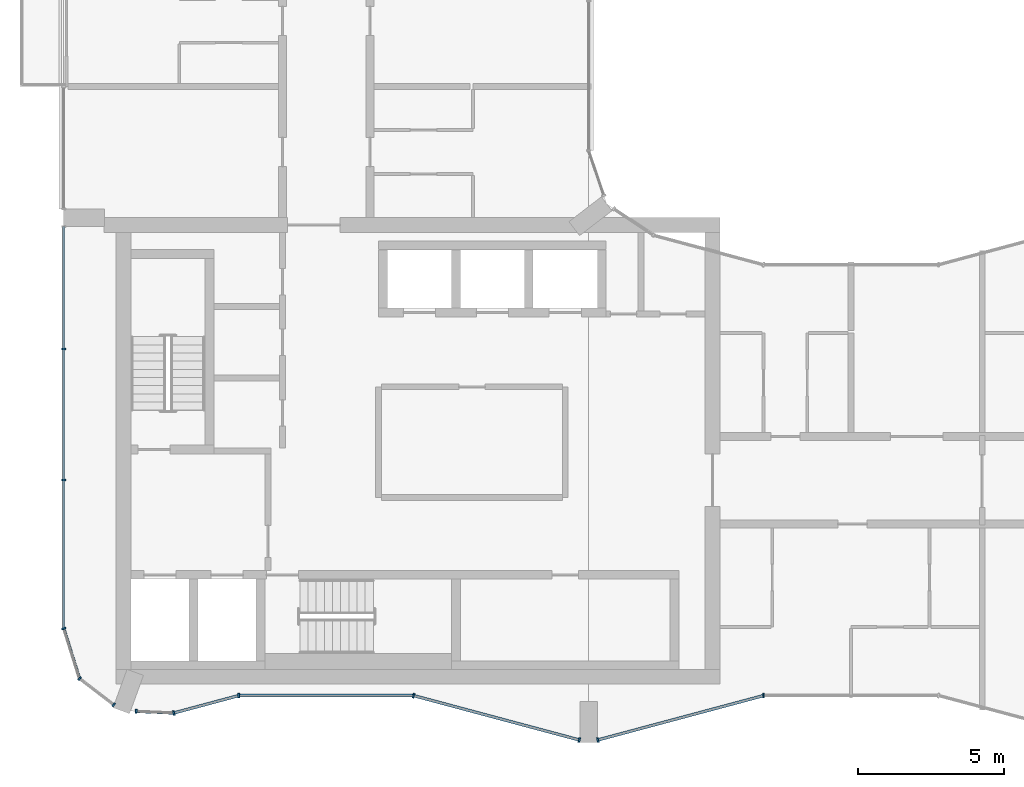
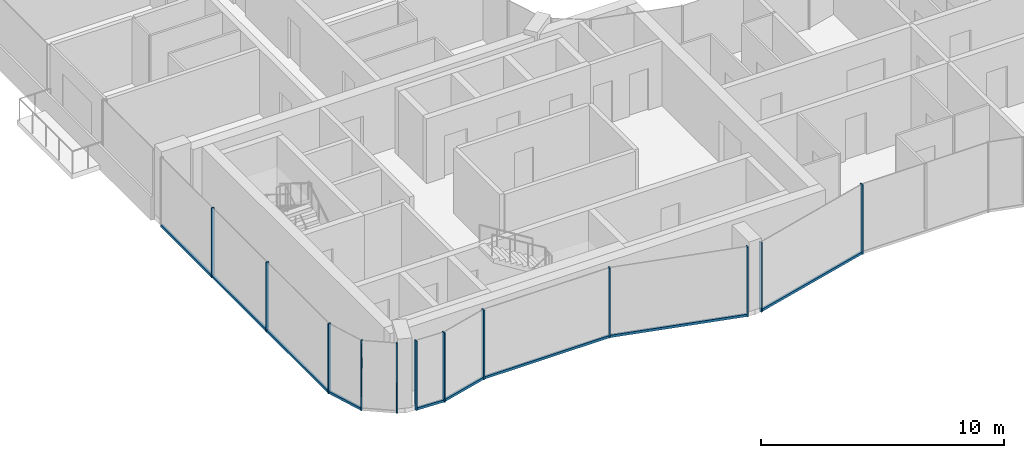
# One storey, part 2 of 16: 19 members, 9 elements without a shape of their own.
"""IFC4 building model written with IfcOpenShell, lengths in metres."""

from ifc_helpers import new_model, si_unit, direction, frame, origin, origin_2d, place, context, subcontext, project, spatial, rectangle, extrude, material, layer, layer_set, material_profile, profile_set, type_object, element, aggregate, save


model = new_model("IFC4")

# Units and contexts
model_context = context("Model", 3, precision=1e-05, world=origin(), true_north=direction((0.0, 1.0)))
body_context = subcontext(model_context, "Body", "Model", "MODEL_VIEW")
ifc_project = project(units=[si_unit("LENGTHUNIT", "METRE"), si_unit("AREAUNIT", "SQUARE_METRE"), si_unit("VOLUMEUNIT", "CUBIC_METRE"), si_unit("PLANEANGLEUNIT", "RADIAN"), si_unit("MASSUNIT", "GRAM", prefix="KILO")], contexts=[model_context])

# Site, building, storey
site_placement = place(None, origin())
site = spatial("IfcSite", under=ifc_project, at=site_placement, CompositionType="ELEMENT")
building_placement = place(site_placement, origin())
building = spatial("IfcBuilding", under=site, at=building_placement, Name="Plateau Cross Towers", CompositionType="ELEMENT")
storey_placement = place(building_placement, frame((0.0, 0.0, 215.39990234375)))
storey = spatial("IfcBuildingStorey", under=building, at=storey_placement, Name="L56", CompositionType="ELEMENT", Elevation=215.39990234375)

# Curtain wall, members
ifc_material_1 = material(Name="Dark low-iron glass", Category="glass")
ifc_layer_1 = layer(ifc_material_1, 0.239990234375)
ifc_layer_set_1 = layer_set([ifc_layer_1], Name="Dark low-iron glass")
curtain_wall_type_1 = type_object("IfcCurtainWallType", Name="Curtain wall flush unitised CW-B", PredefinedType="NOTDEFINED", material=ifc_layer_set_1)
curtain_wall_1_placement = place(storey_placement, origin())
curtain_wall_1 = element("IfcCurtainWall", 1, at=curtain_wall_1_placement, inside=storey, type_object=curtain_wall_type_1, Name="ENV/A/L56/A0_177", PredefinedType="NOTDEFINED")
ifc_material_2 = material(Name="Black anodised aluminium", Category="aluminium")
ifc_material_profile_1 = material_profile(ifc_material_2, rectangle(XDim=0.06005859375, YDim=0.139892578125, at=origin_2d()), Name="MULLION 60x140")
ifc_profile_set_1 = profile_set([ifc_material_profile_1], Name="Black anodised aluminium")
member_type_1 = type_object("IfcMemberType", Name="Mullion 60x140 flush unitised", PredefinedType="MULLION", material=ifc_profile_set_1)
member_1_placement = place(storey_placement, frame((0.0, 13.5, -0.25), z_axis=(0.0, 0.0, 1.0), x_axis=(0.0, -1.0, 0.0)))
member_1 = element("IfcMember", 2, at=member_1_placement, type_object=member_type_1, Name="CW-B mullion 2", PredefinedType="MULLION", context=body_context, shape_type="SweptSolid", body=[
    extrude(rectangle(XDim=0.06005859375, YDim=0.139892578125, at=origin_2d()), origin(), (0.0, 0.0, 1.0), 3.5),
])
member_2_placement = place(storey_placement, frame((0.0, 9.0, -0.25), z_axis=(0.0, 0.0, 1.0), x_axis=(0.0, -1.0, 0.0)))
member_2 = element("IfcMember", 3, at=member_2_placement, type_object=member_type_1, Name="CW-B mullion 3", PredefinedType="MULLION", context=body_context, shape_type="SweptSolid", body=[
    extrude(rectangle(XDim=0.06005859375, YDim=0.139892578125, at=origin_2d()), origin(), (0.0, 0.0, 1.0), 3.5),
])

# Curtain wall, member
curtain_wall_2_placement = place(storey_placement, origin())
curtain_wall_2 = element("IfcCurtainWall", 4, at=curtain_wall_2_placement, inside=storey, type_object=curtain_wall_type_1, Name="ENV/A/L56/A0_39", PredefinedType="NOTDEFINED")
member_3_placement = place(storey_placement, frame((0.0, 3.9091796875, -0.25), z_axis=(0.0, 0.0, 1.0), x_axis=(0.300686174994, -0.95372313811, 0.0)))
member_3 = element("IfcMember", 5, at=member_3_placement, type_object=member_type_1, Name="CW-B mullion 1", PredefinedType="MULLION", context=body_context, shape_type="SweptSolid", body=[
    extrude(rectangle(XDim=0.06005859375, YDim=0.139892578125, at=origin_2d()), origin(), (0.0, 0.0, 1.0), 3.5),
])

# Curtain wall, members
curtain_wall_3_placement = place(storey_placement, origin())
curtain_wall_3 = element("IfcCurtainWall", 6, at=curtain_wall_3_placement, inside=storey, type_object=curtain_wall_type_1, Name="ENV/A/L56/A5_22", PredefinedType="NOTDEFINED")
member_4_placement = place(storey_placement, frame((0.54248046875, 2.1884765625, -0.25), z_axis=(0.0, 0.0, 1.0), x_axis=(0.793315514529, -0.608810721331, 0.0)))
member_4 = element("IfcMember", 7, at=member_4_placement, type_object=member_type_1, Name="CW-B mullion 1", PredefinedType="MULLION", context=body_context, shape_type="SweptSolid", body=[
    extrude(rectangle(XDim=0.06005859375, YDim=0.139892578125, at=origin_2d()), origin(), (0.0, 0.0, 1.0), 3.5),
])
member_5_placement = place(storey_placement, frame((1.709716796875, 1.292724609375, -0.25), z_axis=(0.0, 0.0, 1.0), x_axis=(0.793315514529, -0.608810721331, 0.0)))
member_5 = element("IfcMember", 8, at=member_5_placement, type_object=member_type_1, Name="CW-B mullion 2", PredefinedType="MULLION", context=body_context, shape_type="SweptSolid", body=[
    extrude(rectangle(XDim=0.06005859375, YDim=0.139892578125, at=origin_2d()), origin(), (0.0, 0.0, 1.0), 3.5),
])
aggregate(curtain_wall_3, [member_4, member_5])

# Curtain wall, member
curtain_wall_4_placement = place(storey_placement, origin())
curtain_wall_4 = element("IfcCurtainWall", 9, at=curtain_wall_4_placement, inside=storey, type_object=curtain_wall_type_1, Name="ENV/A/L56/A25_11", PredefinedType="NOTDEFINED")
member_6_placement = place(storey_placement, frame((2.483642578125, 1.06787109375, -0.25), z_axis=(0.0, 0.0, 1.0), x_axis=(0.999043701491, -0.043722791671, 0.0)))
member_6 = element("IfcMember", 10, at=member_6_placement, type_object=member_type_1, Name="CW-B mullion 1", PredefinedType="MULLION", context=body_context, shape_type="SweptSolid", body=[
    extrude(rectangle(XDim=0.06005859375, YDim=0.139892578125, at=origin_2d()), origin(), (0.0, 0.0, 1.0), 3.5),
])

ifc_layer_2 = layer(ifc_material_1, 0.260009765625)
ifc_layer_set_2 = layer_set([ifc_layer_2], Name="Dark low-iron glass")
curtain_wall_type_2 = type_object("IfcCurtainWallType", Name="Curtain wall fluted unitised CW-A", PredefinedType="NOTDEFINED", material=ifc_layer_set_2)
curtain_wall_5_placement = place(storey_placement, origin())
curtain_wall_5 = element("IfcCurtainWall", 11, at=curtain_wall_5_placement, inside=storey, type_object=curtain_wall_type_2, Name="ENV/A/L56/A38_10", PredefinedType="NOTDEFINED")
ifc_material_profile_2 = material_profile(ifc_material_2, rectangle(XDim=0.06005859375, YDim=0.159912109375, at=origin_2d()), Name="MULLION 60x160")
ifc_profile_set_2 = profile_set([ifc_material_profile_2], Name="Black anodised aluminium")
member_type_2 = type_object("IfcMemberType", Name="Mullion 60x160 fluted unitised", PredefinedType="MULLION", material=ifc_profile_set_2)
member_7_placement = place(storey_placement, frame((3.776123046875, 1.01123046875, -0.25), z_axis=(0.0, 0.0, 1.0), x_axis=(0.965957962328, 0.258699081978, 0.0)))
member_7 = element("IfcMember", 12, at=member_7_placement, type_object=member_type_2, Name="CW-A mullion 1", PredefinedType="MULLION", context=body_context, shape_type="SweptSolid", body=[
    extrude(rectangle(XDim=0.06005859375, YDim=0.159912109375, at=origin_2d()), origin(), (0.0, 0.0, 1.0), 3.5),
])

curtain_wall_6_placement = place(storey_placement, origin())
curtain_wall_6 = element("IfcCurtainWall", 13, at=curtain_wall_6_placement, inside=storey, type_object=curtain_wall_type_2, Name="ENV/A/L56/A60_16", PredefinedType="NOTDEFINED")
member_8_placement = place(storey_placement, frame((6.0, 1.60693359375, -0.25), z_axis=(0.0, 0.0, 1.0), x_axis=(1.0, 0.0, 0.0)))
member_8 = element("IfcMember", 14, at=member_8_placement, type_object=member_type_2, Name="CW-A mullion 1", PredefinedType="MULLION", context=body_context, shape_type="SweptSolid", body=[
    extrude(rectangle(XDim=0.06005859375, YDim=0.159912109375, at=origin_2d()), origin(), (0.0, 0.0, 1.0), 3.5),
])

# Curtain wall, members
curtain_wall_7_placement = place(storey_placement, origin())
curtain_wall_7 = element("IfcCurtainWall", 15, at=curtain_wall_7_placement, inside=storey, type_object=curtain_wall_type_2, Name="ENV/A/L56/A120_16", PredefinedType="NOTDEFINED")
member_9_placement = place(storey_placement, frame((12.0, 1.60693359375, -0.25), z_axis=(0.0, 0.0, 1.0), x_axis=(0.965957983404, -0.258699003279, 0.0)))
member_9 = element("IfcMember", 16, at=member_9_placement, type_object=member_type_2, Name="CW-A mullion 1", PredefinedType="MULLION", context=body_context, shape_type="SweptSolid", body=[
    extrude(rectangle(XDim=0.06005859375, YDim=0.159912109375, at=origin_2d()), origin(), (0.0, 0.0, 1.0), 3.5),
])
member_10_placement = place(storey_placement, frame((17.68212890625, 0.085205078125, -0.25), z_axis=(0.0, 0.0, 1.0), x_axis=(0.965957983404, -0.258699003279, 0.0)))
member_10 = element("IfcMember", 17, at=member_10_placement, type_object=member_type_2, Name="CW-A mullion 2", PredefinedType="MULLION", context=body_context, shape_type="SweptSolid", body=[
    extrude(rectangle(XDim=0.06005859375, YDim=0.159912109375, at=origin_2d()), origin(), (0.0, 0.0, 1.0), 3.5),
])

# Curtain wall, member
curtain_wall_8_placement = place(storey_placement, origin())
curtain_wall_8 = element("IfcCurtainWall", 18, at=curtain_wall_8_placement, inside=storey, type_object=curtain_wall_type_2, Name="ENV/A/L56/A183_1", PredefinedType="NOTDEFINED")
member_11_placement = place(storey_placement, frame((18.31787109375, 0.085205078125, -0.25), z_axis=(0.0, 0.0, 1.0), x_axis=(0.965957983404, 0.258699003279, 0.0)))
member_11 = element("IfcMember", 19, at=member_11_placement, type_object=member_type_2, Name="CW-A mullion 1", PredefinedType="MULLION", context=body_context, shape_type="SweptSolid", body=[
    extrude(rectangle(XDim=0.06005859375, YDim=0.159912109375, at=origin_2d()), origin(), (0.0, 0.0, 1.0), 3.5),
])

curtain_wall_9_placement = place(storey_placement, origin())
curtain_wall_9 = element("IfcCurtainWall", 20, at=curtain_wall_9_placement, inside=storey, type_object=curtain_wall_type_2, Name="ENV/A/L56/A240_16", PredefinedType="NOTDEFINED")
member_12_placement = place(storey_placement, frame((24.0, 1.60693359375, -0.25), z_axis=(0.0, 0.0, 1.0), x_axis=(1.0, 0.0, 0.0)))
member_12 = element("IfcMember", 21, at=member_12_placement, type_object=member_type_2, Name="CW-A mullion 1", PredefinedType="MULLION", context=body_context, shape_type="SweptSolid", body=[
    extrude(rectangle(XDim=0.06005859375, YDim=0.159912109375, at=origin_2d()), origin(), (0.0, 0.0, 1.0), 3.5),
])
aggregate(curtain_wall_9, [member_12])

# Member
ifc_material_profile_3 = material_profile(ifc_material_2, rectangle(XDim=0.10009765625, YDim=0.1201171875, at=origin_2d()), Name="TRANSOM 100x120")
ifc_profile_set_3 = profile_set([ifc_material_profile_3], Name="Black anodised aluminium")
member_type_3 = type_object("IfcMemberType", Name="Transom 100x120 flush unitised", PredefinedType="USERDEFINED", material=ifc_profile_set_3)
member_13_placement = place(storey_placement, frame((0.0, 17.699951171875, -0.18994140625), z_axis=(0.0, -1.0, 0.0), x_axis=(1.0, 0.0, 0.0)))
member_13 = element("IfcMember", 22, at=member_13_placement, type_object=member_type_3, Name="CW-B transom", ObjectType="TRANSOM", PredefinedType="USERDEFINED", context=body_context, shape_type="SweptSolid", body=[
    extrude(rectangle(XDim=0.10009765625, YDim=0.1201171875, at=origin_2d()), origin(), (0.0, 0.0, 1.0), 13.790771484375),
])

aggregate(curtain_wall_1, [member_1, member_2, member_13])

member_14_placement = place(storey_placement, frame((0.0, 3.9091796875, -0.18994140625), z_axis=(0.30067799945, -0.953725715626, 0.0), x_axis=(0.953725715626, 0.30067799945, 0.0)))
member_14 = element("IfcMember", 23, at=member_14_placement, type_object=member_type_3, Name="CW-B transom", ObjectType="TRANSOM", PredefinedType="USERDEFINED", context=body_context, shape_type="SweptSolid", body=[
    extrude(rectangle(XDim=0.10009765625, YDim=0.1201171875, at=origin_2d()), origin(), (0.0, 0.0, 1.0), 1.80419921875),
])

aggregate(curtain_wall_2, [member_3, member_14])

member_15_placement = place(storey_placement, frame((2.483642578125, 1.06787109375, -0.18994140625), z_axis=(0.999041144614, -0.043781175963, 0.0), x_axis=(0.043781175963, 0.999041144614, 0.0)))
member_15 = element("IfcMember", 24, at=member_15_placement, type_object=member_type_3, Name="CW-B transom", ObjectType="TRANSOM", PredefinedType="USERDEFINED", context=body_context, shape_type="SweptSolid", body=[
    extrude(rectangle(XDim=0.10009765625, YDim=0.1201171875, at=origin_2d()), origin(), (0.0, 0.0, 1.0), 1.293701171875),
])

aggregate(curtain_wall_4, [member_6, member_15])

ifc_material_profile_4 = material_profile(ifc_material_2, rectangle(XDim=0.10009765625, YDim=0.1201171875, at=origin_2d()), Name="TRANSOM 100x120")
ifc_profile_set_4 = profile_set([ifc_material_profile_4], Name="Black anodised aluminium")
member_type_4 = type_object("IfcMemberType", Name="Transom 100x120 fluted unitised", PredefinedType="USERDEFINED", material=ifc_profile_set_4)
member_16_placement = place(storey_placement, frame((3.776123046875, 1.01123046875, -0.18994140625), z_axis=(0.965945685136, 0.258744919501, 0.0), x_axis=(-0.258744919501, 0.965945685136, 0.0)))
member_16 = element("IfcMember", 25, at=member_16_placement, type_object=member_type_4, Name="CW-A transom", ObjectType="TRANSOM", PredefinedType="USERDEFINED", context=body_context, shape_type="SweptSolid", body=[
    extrude(rectangle(XDim=0.10009765625, YDim=0.1201171875, at=origin_2d()), origin(), (0.0, 0.0, 1.0), 2.30224609375),
])

aggregate(curtain_wall_5, [member_7, member_16])

member_17_placement = place(storey_placement, frame((6.0, 1.60693359375, -0.18994140625), z_axis=(1.0, 0.0, 0.0), x_axis=(0.0, 1.0, 0.0)))
member_17 = element("IfcMember", 26, at=member_17_placement, type_object=member_type_4, Name="CW-A transom", ObjectType="TRANSOM", PredefinedType="USERDEFINED", context=body_context, shape_type="SweptSolid", body=[
    extrude(rectangle(XDim=0.10009765625, YDim=0.1201171875, at=origin_2d()), origin(), (0.0, 0.0, 1.0), 6.0),
])

aggregate(curtain_wall_6, [member_8, member_17])

member_18_placement = place(storey_placement, frame((12.0, 1.60693359375, -0.18994140625), z_axis=(0.965959534794, -0.258693210465, 0.0), x_axis=(0.258693210465, 0.965959534794, 0.0)))
member_18 = element("IfcMember", 27, at=member_18_placement, type_object=member_type_4, Name="CW-A transom", ObjectType="TRANSOM", PredefinedType="USERDEFINED", context=body_context, shape_type="SweptSolid", body=[
    extrude(rectangle(XDim=0.10009765625, YDim=0.1201171875, at=origin_2d()), origin(), (0.0, 0.0, 1.0), 5.88232421875),
])

aggregate(curtain_wall_7, [member_9, member_10, member_18])

member_19_placement = place(storey_placement, frame((18.31787109375, 0.085205078125, -0.18994140625), z_axis=(0.965959534794, 0.258693210465, 0.0), x_axis=(-0.258693210465, 0.965959534794, 0.0)))
member_19 = element("IfcMember", 28, at=member_19_placement, type_object=member_type_4, Name="CW-A transom", ObjectType="TRANSOM", PredefinedType="USERDEFINED", context=body_context, shape_type="SweptSolid", body=[
    extrude(rectangle(XDim=0.10009765625, YDim=0.1201171875, at=origin_2d()), origin(), (0.0, 0.0, 1.0), 5.88232421875),
])

aggregate(curtain_wall_8, [member_11, member_19])

save(model, "model.ifc")
